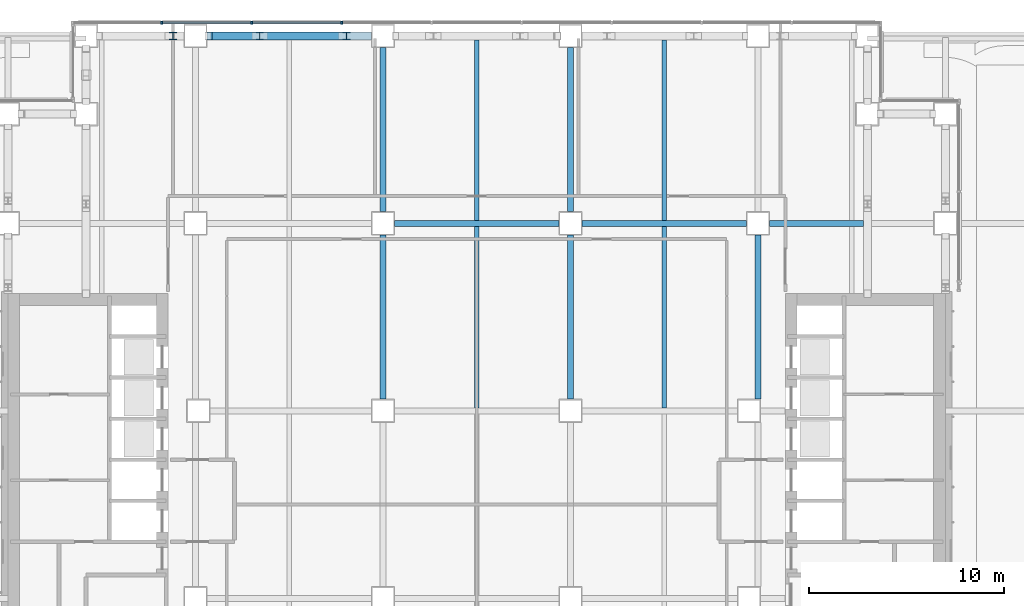
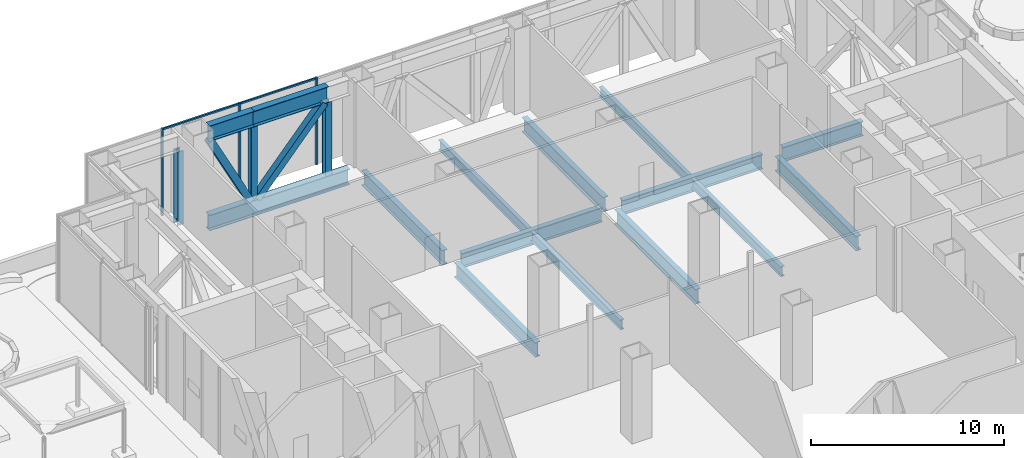
# One storey, part 12 of 39: 13 members, 12 beams, 1 element without a shape of its own.
"""IFC4 building model written with IfcOpenShell, lengths in metres."""

from ifc_helpers import new_model, si_unit, direction, frame, origin, origin_2d, place, context, subcontext, project, spatial, rectangle, hollow_rectangle, i_section, extrude, material, material_profile, profile_set, type_object, element, aggregate, save


model = new_model("IFC4")

# Units and contexts
model_context = context("Model", 3, precision=1e-05, world=origin(), true_north=direction((0.0, 1.0)))
body_context = subcontext(model_context, "Body", "Model", "MODEL_VIEW")
ifc_project = project(units=[si_unit("LENGTHUNIT", "METRE"), si_unit("AREAUNIT", "SQUARE_METRE"), si_unit("VOLUMEUNIT", "CUBIC_METRE"), si_unit("PLANEANGLEUNIT", "RADIAN"), si_unit("MASSUNIT", "GRAM", prefix="KILO")], contexts=[model_context])

# Site, building, storey
site_placement = place(None, origin())
site = spatial("IfcSite", under=ifc_project, at=site_placement, CompositionType="ELEMENT")
building_placement = place(site_placement, origin())
building = spatial("IfcBuilding", under=site, at=building_placement, Name="Cobrizo Arcos Hotel Tower", CompositionType="ELEMENT")
storey_placement = place(building_placement, frame((0.0, 0.0, 33.5)))
storey = spatial("IfcBuildingStorey", under=building, at=storey_placement, Name="L06", CompositionType="ELEMENT", Elevation=33.5)

# Curtain wall, members
ifc_material_1 = material(Name="Aluminium 6063-T6 anodised bronze", Category="aluminium")
curtain_wall_type = type_object("IfcCurtainWallType", Name="CW-D plant louvre wall", PredefinedType="NOTDEFINED", material=ifc_material_1)
curtain_wall_placement = place(storey_placement, origin())
curtain_wall = element("IfcCurtainWall", 1, at=curtain_wall_placement, inside=storey, type_object=curtain_wall_type, Name="CW-D L06 N face", PredefinedType="NOTDEFINED")
ifc_material_profile_1 = material_profile(ifc_material_1, rectangle(XDim=0.14990234375, YDim=0.10009765625, at=origin_2d()), Name="CW-D mullion 150x100")
ifc_profile_set_1 = profile_set([ifc_material_profile_1], Name="Aluminium 6063-T6 anodised bronze")
member_type_1 = type_object("IfcMemberType", Name="CW-D mullion 150x100", PredefinedType="MULLION", material=ifc_profile_set_1)
member_1_placement = place(storey_placement, frame((-6.916748046875, 24.675048828125, 0.0), z_axis=(0.0, 0.0, 1.0), x_axis=(0.0, 1.0, 0.0)))
member_1 = element("IfcMember", 2, at=member_1_placement, type_object=member_type_1, Name="CW-D mullion 7", PredefinedType="MULLION", context=body_context, shape_type="SweptSolid", body=[
    extrude(rectangle(XDim=0.14990234375, YDim=0.10009765625, at=origin_2d()), origin(), (0.0, 0.0, 1.0), 5.5),
])
member_2_placement = place(storey_placement, frame((-11.52783203125, 24.675048828125, 0.0), z_axis=(0.0, 0.0, 1.0), x_axis=(0.0, 1.0, 0.0)))
member_2 = element("IfcMember", 3, at=member_2_placement, type_object=member_type_1, Name="CW-D mullion 8", PredefinedType="MULLION", context=body_context, shape_type="SweptSolid", body=[
    extrude(rectangle(XDim=0.14990234375, YDim=0.10009765625, at=origin_2d()), origin(), (0.0, 0.0, 1.0), 5.5),
])
member_3_placement = place(storey_placement, frame((-16.138916015625, 24.675048828125, 0.0), z_axis=(0.0, 0.0, 1.0), x_axis=(0.0, 1.0, 0.0)))
member_3 = element("IfcMember", 4, at=member_3_placement, type_object=member_type_1, Name="CW-D mullion 9", PredefinedType="MULLION", context=body_context, shape_type="SweptSolid", body=[
    extrude(rectangle(XDim=0.14990234375, YDim=0.10009765625, at=origin_2d()), origin(), (0.0, 0.0, 1.0), 5.5),
])
ifc_material_profile_2 = material_profile(ifc_material_1, rectangle(XDim=0.10009765625, YDim=0.10009765625, at=origin_2d()), Name="CW-D transom 100x100")
ifc_profile_set_2 = profile_set([ifc_material_profile_2], Name="Aluminium 6063-T6 anodised bronze")
member_type_2 = type_object("IfcMemberType", Name="CW-D transom 100x100", PredefinedType="USERDEFINED", material=ifc_profile_set_2)
member_4_placement = place(storey_placement, frame((-6.966552734375, 24.675048828125, 5.449951171875), z_axis=(-1.0, 0.0, 0.0), x_axis=(0.0, -1.0, 0.0)))
member_4 = element("IfcMember", 5, at=member_4_placement, type_object=member_type_2, Name="CW-D transom 348", ObjectType="TRANSOM", PredefinedType="USERDEFINED", context=body_context, shape_type="SweptSolid", body=[
    extrude(rectangle(XDim=0.10009765625, YDim=0.10009765625, at=origin_2d()), origin(), (0.0, 0.0, 1.0), 4.51123046875),
])
member_5_placement = place(storey_placement, frame((-11.577880859375, 24.675048828125, 5.449951171875), z_axis=(-1.0, 0.0, 0.0), x_axis=(0.0, -1.0, 0.0)))
member_5 = element("IfcMember", 6, at=member_5_placement, type_object=member_type_2, Name="CW-D transom 349", ObjectType="TRANSOM", PredefinedType="USERDEFINED", context=body_context, shape_type="SweptSolid", body=[
    extrude(rectangle(XDim=0.10009765625, YDim=0.10009765625, at=origin_2d()), origin(), (0.0, 0.0, 1.0), 4.510986328125),
])
aggregate(curtain_wall, [member_1, member_2, member_3, member_4, member_5])

# Members
ifc_material_2 = material(Name="Steel ASTM A500 Grade C", Category="steel")
ifc_material_profile_3 = material_profile(ifc_material_2, hollow_rectangle(XDim=0.406494140625, YDim=0.406494140625, WallThickness=0.014892578125, at=origin_2d()), Name="HSS16X16X5/8")
ifc_profile_set_3 = profile_set([ifc_material_profile_3], Name="Steel ASTM A500 Grade C")
member_type_3 = type_object("IfcMemberType", Name="HSS16X16X5/8 truss diagonal", PredefinedType="BRACE", material=ifc_profile_set_3)
member_6_placement = place(storey_placement, frame((-6.866943359375, 24.0, 4.359375), z_axis=(-0.655465194601, 0.0, -0.755225382695), x_axis=(0.0, -1.0, 0.0)))
element("IfcMember", 7, at=member_6_placement, inside=storey, type_object=member_type_3, Name="Belt truss diagonal TD1, L06, no. 024", PredefinedType="BRACE", context=body_context, shape_type="SweptSolid", body=[
    extrude(hollow_rectangle(XDim=0.406494140625, YDim=0.406494140625, WallThickness=0.014892578125, at=origin_2d()), origin(), (0.0, 0.0, 1.0), 6.169677734375),
])
member_7_placement = place(storey_placement, frame((-11.31103515625, 24.0, -0.300048828125), z_axis=(-0.45925576927, 0.0, 0.888304079914), x_axis=(0.0, -1.0, 0.0)))
element("IfcMember", 8, at=member_7_placement, inside=storey, type_object=member_type_3, Name="Belt truss diagonal TD1, L06, no. 025", PredefinedType="BRACE", context=body_context, shape_type="SweptSolid", body=[
    extrude(hollow_rectangle(XDim=0.406494140625, YDim=0.406494140625, WallThickness=0.014892578125, at=origin_2d()), origin(), (0.0, 0.0, 1.0), 5.245361328125),
])
ifc_material_3 = material(Name="Steel ASTM A992 Grade 50", Category="steel")
ifc_material_profile_4 = material_profile(ifc_material_3, i_section(OverallWidth=0.373291015625, OverallDepth=0.373291015625, WebThickness=0.016357421875, FlangeThickness=0.026123046875, at=origin_2d()), Name="W14X132")
ifc_profile_set_4 = profile_set([ifc_material_profile_4], Name="Steel ASTM A992 Grade 50")
member_type_4 = type_object("IfcMemberType", Name="W14X132 truss post", PredefinedType="POST", material=ifc_profile_set_4)
for number, where, z_axis, x_axis, name in (
    (9, (-6.6669921875, 24.0, -0.300048828125), (0.0, 0.0, 1.0), (1.0, 0.0, 0.0), "Truss post TP1, L06, no. 018"),
    (10, (-11.111083984375, 24.0, -0.300048828125), (0.0, 0.0, 1.0), (1.0, 0.0, 0.0), "Truss post TP1, L06, no. 019"),
    (11, (-15.555908203125, 24.0, -0.300048828125), (0.0, 0.0, 1.0), (1.0, 0.0, 0.0), "Truss post TP1, L06, no. 020"),
):
    element("IfcMember", number, at=place(storey_placement, frame(where, z_axis=z_axis, x_axis=x_axis)), inside=storey, type_object=member_type_4, Name=name, PredefinedType="POST", context=body_context, shape_type="SweptSolid", body=[
        extrude(i_section(OverallWidth=0.373291015625, OverallDepth=0.373291015625, WebThickness=0.016357421875, FlangeThickness=0.026123046875, at=origin_2d()), origin(), (0.0, 0.0, 1.0), 4.659423828125),
    ])

# Beams
ifc_material_profile_5 = material_profile(ifc_material_3, i_section(OverallWidth=0.23046875, OverallDepth=0.6171875, WebThickness=0.01318359375, FlangeThickness=0.022216796875, at=origin_2d()), Name="W24X94")
ifc_profile_set_5 = profile_set([ifc_material_profile_5], Name="Steel ASTM A992 Grade 50")
beam_type_1 = type_object("IfcBeamType", Name="W24X94 podium joist", PredefinedType="JOIST", material=ifc_profile_set_5)
beam_1_placement = place(storey_placement, frame((0.0, 4.95361328125, -0.608642578125), z_axis=(0.0, 1.0, 0.0), x_axis=(-1.0, 0.0, 0.0)))
element("IfcBeam", 12, at=beam_1_placement, inside=storey, type_object=beam_type_1, Name="Podium joist PJ1, L06, no. 018", PredefinedType="JOIST", context=body_context, shape_type="SweptSolid", body=[
    extrude(i_section(OverallWidth=0.23046875, OverallDepth=0.6171875, WebThickness=0.01318359375, FlangeThickness=0.022216796875, at=origin_2d()), origin(), (0.0, 0.0, 1.0), 9.292724609375),
])
beam_2_placement = place(storey_placement, frame((0.0, 14.5537109375, -0.608642578125), z_axis=(0.0, 1.0, 0.0), x_axis=(-1.0, 0.0, 0.0)))
element("IfcBeam", 13, at=beam_2_placement, inside=storey, type_object=beam_type_1, Name="Podium joist PJ1, L06, no. 019", PredefinedType="JOIST", context=body_context, shape_type="SweptSolid", body=[
    extrude(i_section(OverallWidth=0.23046875, OverallDepth=0.6171875, WebThickness=0.01318359375, FlangeThickness=0.022216796875, at=origin_2d()), origin(), (0.0, 0.0, 1.0), 9.245849609375),
])
beam_3_placement = place(storey_placement, frame((9.60009765625, 4.95361328125, -0.608642578125), z_axis=(0.0, 1.0, 0.0), x_axis=(-1.0, 0.0, 0.0)))
element("IfcBeam", 14, at=beam_3_placement, inside=storey, type_object=beam_type_1, Name="Podium joist PJ1, L06, no. 023", PredefinedType="JOIST", context=body_context, shape_type="SweptSolid", body=[
    extrude(i_section(OverallWidth=0.23046875, OverallDepth=0.6171875, WebThickness=0.01318359375, FlangeThickness=0.022216796875, at=origin_2d()), origin(), (0.0, 0.0, 1.0), 9.292724609375),
])
beam_4_placement = place(storey_placement, frame((9.60009765625, 14.5537109375, -0.608642578125), z_axis=(0.0, 1.0, 0.0), x_axis=(-1.0, 0.0, 0.0)))
element("IfcBeam", 15, at=beam_4_placement, inside=storey, type_object=beam_type_1, Name="Podium joist PJ1, L06, no. 024", PredefinedType="JOIST", context=body_context, shape_type="SweptSolid", body=[
    extrude(i_section(OverallWidth=0.23046875, OverallDepth=0.6171875, WebThickness=0.01318359375, FlangeThickness=0.022216796875, at=origin_2d()), origin(), (0.0, 0.0, 1.0), 9.245849609375),
])
ifc_material_profile_6 = material_profile(ifc_material_3, i_section(OverallWidth=0.307373046875, OverallDepth=0.927001953125, WebThickness=0.01953125, FlangeThickness=0.031982421875, at=origin_2d()), Name="W36X194")
ifc_profile_set_6 = profile_set([ifc_material_profile_6], Name="Steel ASTM A992 Grade 50")
beam_type_2 = type_object("IfcBeamType", Name="W36X194 podium girder", PredefinedType="BEAM", material=ifc_profile_set_6)
beam_5_placement = place(storey_placement, frame((-4.199951171875, 14.39990234375, -0.763427734375), z_axis=(1.0, 0.0, 0.0), x_axis=(0.0, 1.0, 0.0)))
element("IfcBeam", 16, at=beam_5_placement, inside=storey, type_object=beam_type_2, Name="Podium girder PG1, L06, no. 033", PredefinedType="BEAM", context=body_context, shape_type="SweptSolid", body=[
    extrude(i_section(OverallWidth=0.307373046875, OverallDepth=0.927001953125, WebThickness=0.01953125, FlangeThickness=0.031982421875, at=origin_2d()), origin(), (0.0, 0.0, 1.0), 8.39990234375),
])
beam_6_placement = place(storey_placement, frame((5.39990234375, 14.39990234375, -0.763427734375), z_axis=(1.0, 0.0, 0.0), x_axis=(0.0, 1.0, 0.0)))
element("IfcBeam", 17, at=beam_6_placement, inside=storey, type_object=beam_type_2, Name="Podium girder PG1, L06, no. 034", PredefinedType="BEAM", context=body_context, shape_type="SweptSolid", body=[
    extrude(i_section(OverallWidth=0.307373046875, OverallDepth=0.927001953125, WebThickness=0.01953125, FlangeThickness=0.031982421875, at=origin_2d()), origin(), (0.0, 0.0, 1.0), 8.400146484375),
])
beam_7_placement = place(storey_placement, frame((15.0, 14.39990234375, -0.763427734375), z_axis=(1.0, 0.0, 0.0), x_axis=(0.0, 1.0, 0.0)))
element("IfcBeam", 18, at=beam_7_placement, inside=storey, type_object=beam_type_2, Name="Podium girder PG1, L06, no. 035", PredefinedType="BEAM", context=body_context, shape_type="SweptSolid", body=[
    extrude(i_section(OverallWidth=0.307373046875, OverallDepth=0.927001953125, WebThickness=0.01953125, FlangeThickness=0.031982421875, at=origin_2d()), origin(), (0.0, 0.0, 1.0), 4.799560546875),
])
beam_8_placement = place(storey_placement, frame((-4.800048828125, 5.39990234375, -0.763427734375), z_axis=(0.0, 1.0, 0.0), x_axis=(-1.0, 0.0, 0.0)))
element("IfcBeam", 19, at=beam_8_placement, inside=storey, type_object=beam_type_2, Name="Podium girder PG1, L06, no. 054", PredefinedType="BEAM", context=body_context, shape_type="SweptSolid", body=[
    extrude(i_section(OverallWidth=0.307373046875, OverallDepth=0.927001953125, WebThickness=0.01953125, FlangeThickness=0.031982421875, at=origin_2d()), origin(), (0.0, 0.0, 1.0), 8.400146484375),
])
beam_9_placement = place(storey_placement, frame((-4.800048828125, 15.0, -0.763427734375), z_axis=(0.0, 1.0, 0.0), x_axis=(-1.0, 0.0, 0.0)))
element("IfcBeam", 20, at=beam_9_placement, inside=storey, type_object=beam_type_2, Name="Podium girder PG1, L06, no. 055", PredefinedType="BEAM", context=body_context, shape_type="SweptSolid", body=[
    extrude(i_section(OverallWidth=0.307373046875, OverallDepth=0.927001953125, WebThickness=0.01953125, FlangeThickness=0.031982421875, at=origin_2d()), origin(), (0.0, 0.0, 1.0), 8.39990234375),
])
beam_10_placement = place(storey_placement, frame((4.800048828125, 5.39990234375, -0.763427734375), z_axis=(0.0, 1.0, 0.0), x_axis=(-1.0, 0.0, 0.0)))
element("IfcBeam", 21, at=beam_10_placement, inside=storey, type_object=beam_type_2, Name="Podium girder PG1, L06, no. 059", PredefinedType="BEAM", context=body_context, shape_type="SweptSolid", body=[
    extrude(i_section(OverallWidth=0.307373046875, OverallDepth=0.927001953125, WebThickness=0.01953125, FlangeThickness=0.031982421875, at=origin_2d()), origin(), (0.0, 0.0, 1.0), 8.400146484375),
])
beam_11_placement = place(storey_placement, frame((4.800048828125, 15.0, -0.763427734375), z_axis=(0.0, 1.0, 0.0), x_axis=(-1.0, 0.0, 0.0)))
element("IfcBeam", 22, at=beam_11_placement, inside=storey, type_object=beam_type_2, Name="Podium girder PG1, L06, no. 060", PredefinedType="BEAM", context=body_context, shape_type="SweptSolid", body=[
    extrude(i_section(OverallWidth=0.307373046875, OverallDepth=0.927001953125, WebThickness=0.01953125, FlangeThickness=0.031982421875, at=origin_2d()), origin(), (0.0, 0.0, 1.0), 8.39990234375),
])
beam_12_placement = place(storey_placement, frame((14.39990234375, 5.39990234375, -0.763427734375), z_axis=(0.0, 1.0, 0.0), x_axis=(-1.0, 0.0, 0.0)))
element("IfcBeam", 23, at=beam_12_placement, inside=storey, type_object=beam_type_2, Name="Podium girder PG1, L06, no. 064", PredefinedType="BEAM", context=body_context, shape_type="SweptSolid", body=[
    extrude(i_section(OverallWidth=0.307373046875, OverallDepth=0.927001953125, WebThickness=0.01953125, FlangeThickness=0.031982421875, at=origin_2d()), origin(), (0.0, 0.0, 1.0), 8.400146484375),
])

# Members
ifc_material_profile_7 = material_profile(ifc_material_3, i_section(OverallWidth=0.4013671875, OverallDepth=0.990478515625, WebThickness=0.0166015625, FlangeThickness=0.025390625, at=origin_2d()), Name="W40X215")
ifc_profile_set_7 = profile_set([ifc_material_profile_7], Name="Steel ASTM A992 Grade 50")
member_type_5 = type_object("IfcMemberType", Name="W40X215 belt truss chord", PredefinedType="CHORD", material=ifc_profile_set_7)
member_8_placement = place(storey_placement, frame((-5.39990234375, 24.0, -0.79541015625), z_axis=(-1.0, 0.0, 0.0), x_axis=(0.0, -1.0, 0.0)))
element("IfcMember", 24, at=member_8_placement, inside=storey, type_object=member_type_5, Name="Belt truss bottom chord TC1, L06, no. 017", PredefinedType="CHORD", context=body_context, shape_type="SweptSolid", body=[
    extrude(i_section(OverallWidth=0.4013671875, OverallDepth=0.990478515625, WebThickness=0.0166015625, FlangeThickness=0.025390625, at=origin_2d()), origin(), (0.0, 0.0, 1.0), 8.400146484375),
])
member_9_placement = place(storey_placement, frame((-6.6669921875, 24.0, 4.854736328125), z_axis=(-1.0, 0.0, 0.0), x_axis=(0.0, -1.0, 0.0)))
element("IfcMember", 25, at=member_9_placement, inside=storey, type_object=member_type_5, Name="Belt truss top chord TC1, L06, no. 028", PredefinedType="CHORD", context=body_context, shape_type="SweptSolid", body=[
    extrude(i_section(OverallWidth=0.4013671875, OverallDepth=0.990478515625, WebThickness=0.0166015625, FlangeThickness=0.025390625, at=origin_2d()), origin(), (0.0, 0.0, 1.0), 4.444091796875),
])
member_10_placement = place(storey_placement, frame((-11.111083984375, 24.0, 4.854736328125), z_axis=(-1.0, 0.0, 0.0), x_axis=(0.0, -1.0, 0.0)))
element("IfcMember", 26, at=member_10_placement, inside=storey, type_object=member_type_5, Name="Belt truss top chord TC1, L06, no. 029", PredefinedType="CHORD", context=body_context, shape_type="SweptSolid", body=[
    extrude(i_section(OverallWidth=0.4013671875, OverallDepth=0.990478515625, WebThickness=0.0166015625, FlangeThickness=0.025390625, at=origin_2d()), origin(), (0.0, 0.0, 1.0), 2.68896484375),
])

save(model, "model.ifc")
